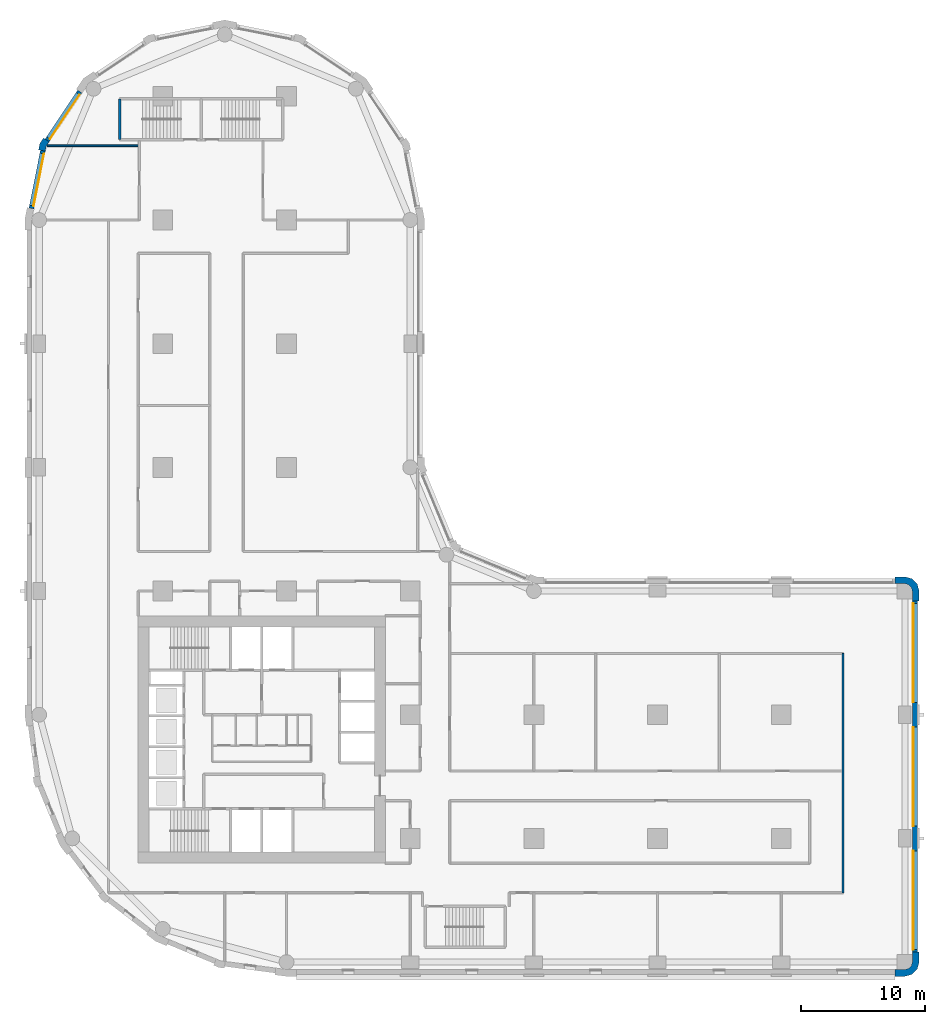
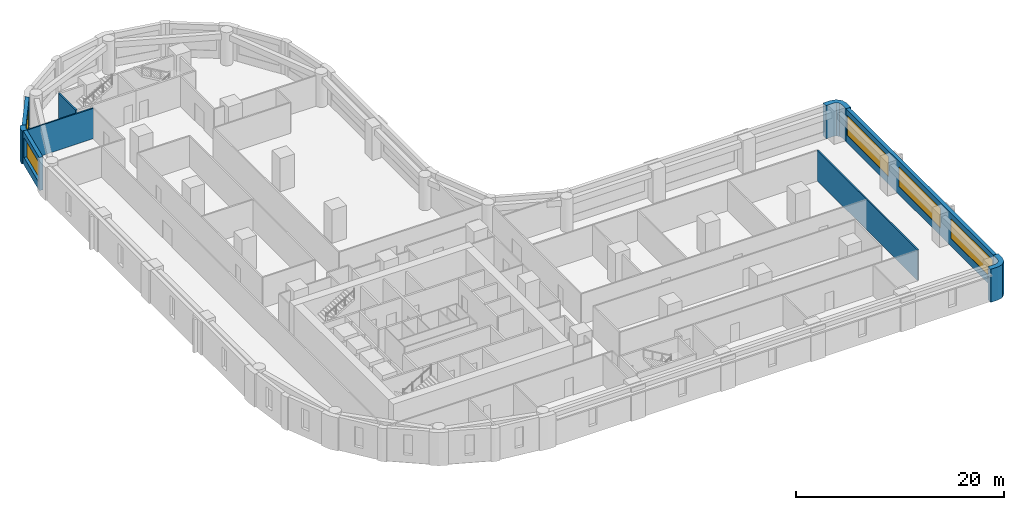
# One storey, part 7 of 11: 9 walls, 5 windows, 5 openings.
"""IFC4 building model written with IfcOpenShell, lengths in metres."""

from ifc_helpers import new_model, si_unit, direction, frame, frame_2d, origin, place, context, subcontext, project, spatial, polyline, rectangle, outline, extrude, material, layer, layer_set, type_object, element, fill, save


model = new_model("IFC4")

# Units and contexts
model_context = context("Model", 3, precision=1e-05, world=origin(), true_north=direction((0.0, 1.0)))
body_context = subcontext(model_context, "Body", "Model", "MODEL_VIEW")
ifc_project = project(units=[si_unit("LENGTHUNIT", "METRE"), si_unit("AREAUNIT", "SQUARE_METRE"), si_unit("VOLUMEUNIT", "CUBIC_METRE"), si_unit("PLANEANGLEUNIT", "RADIAN"), si_unit("MASSUNIT", "GRAM", prefix="KILO")], contexts=[model_context])

# Site, building, storey
site_placement = place(None, origin())
site = spatial("IfcSite", under=ifc_project, at=site_placement, CompositionType="ELEMENT")
building_placement = place(site_placement, origin())
building = spatial("IfcBuilding", under=site, at=building_placement, Name="Qaws Garden Tower", CompositionType="ELEMENT")
storey_placement = place(building_placement, frame((0.0, 0.0, 82.199951171875)))
storey = spatial("IfcBuildingStorey", under=building, at=storey_placement, Name="L20", CompositionType="ELEMENT", Elevation=82.199951171875)

# Walls
ifc_material_1 = material(Name="Buff clay facing brick masonry", Category="masonry")
ifc_layer_1 = layer(ifc_material_1, 0.550048828125)
ifc_layer_set_1 = layer_set([ifc_layer_1], Name="Buff clay facing brick masonry")
wall_type_1 = type_object("IfcWallType", Name="Buff brick corner pier 550 x 2400", PredefinedType="SOLIDWALL", material=ifc_layer_set_1)
placement = place(storey_placement, origin())
element("IfcWall", 1, at=placement, inside=storey, type_object=wall_type_1, Name="E-L20-pier-05", PredefinedType="SOLIDWALL", context=body_context, shape_type="SweptSolid", body=[
    extrude(outline(polyline([(69.199951171875, -1.0), (69.199951171875, -1.14990234375), (70.0, -1.14990234375), (70.574951171875, -0.995849609375), (70.995849609375, -0.574951171875), (71.14990234375, 0.0), (71.14990234375, 0.800048828125), (71.0, 0.800048828125), (70.60009765625, 0.800048828125), (70.60009765625, 0.0), (70.51953125, -0.300048828125), (70.300048828125, -0.51953125), (70.0, -0.60009765625), (69.199951171875, -0.60009765625), (69.199951171875, -1.0)])), origin(), (0.0, 0.0, 1.0), 3.900146484375),
])
element("IfcWall", 2, at=placement, inside=storey, type_object=wall_type_1, Name="E-L20-pier-08", PredefinedType="SOLIDWALL", context=body_context, shape_type="SweptSolid", body=[
    extrude(outline(polyline([(71.0, 29.199951171875), (71.14990234375, 29.199951171875), (71.14990234375, 30.0), (70.995849609375, 30.574951171875), (70.574951171875, 30.995849609375), (70.0, 31.14990234375), (69.199951171875, 31.14990234375), (69.199951171875, 31.0), (69.199951171875, 30.60009765625), (70.0, 30.60009765625), (70.300048828125, 30.51953125), (70.51953125, 30.300048828125), (70.60009765625, 30.0), (70.60009765625, 29.199951171875), (71.0, 29.199951171875)])), origin(), (0.0, 0.0, 1.0), 3.900146484375),
])

# Wall, openings, windows
ifc_material_2 = material(Name="Buff clay facing brick masonry", Category="masonry")
ifc_layer_2 = layer(ifc_material_2, 0.39990234375)
ifc_layer_set_2 = layer_set([ifc_layer_2], Name="Buff clay facing brick masonry")
wall_type_2 = type_object("IfcWallType", Name="Buff brick infill wall 400", PredefinedType="SOLIDWALL", material=ifc_layer_set_2)
wall_3_placement = place(storey_placement, frame((70.800048828125, 0.800048828125, 0.0), z_axis=(0.0, 0.0, 1.0), x_axis=(0.0, 1.0, 0.0)))
wall_3 = element("IfcWall", 3, at=wall_3_placement, inside=storey, type_object=wall_type_2, Name="E-L20-infill-05", PredefinedType="SOLIDWALL", context=body_context, shape_type="SweptSolid", body=[
    extrude(rectangle(XDim=28.39990234375, YDim=0.39990234375, at=frame_2d((14.199951171875, 0.0))), origin(), (0.0, 0.0, 1.0), 3.900146484375),
])
opening_1_placement = place(wall_3_placement, frame((0.199951171875, 0.0, 0.89990234375)))
opening_1 = element("IfcOpeningElement", 4, at=opening_1_placement, cuts=wall_3, Name="Opening W01", PredefinedType="OPENING", context=body_context, shape_type="SweptSolid", body=[
    extrude(rectangle(XDim=8.0, YDim=2.35009765625, at=frame_2d((4.0, 1.175048828125))), frame((0.0, 0.2099609375, 0.0), z_axis=(0.0, -1.0, 0.0), x_axis=(1.0, 0.0, 0.0)), (0.0, 0.0, 1.0), 0.419921875),
])
opening_2_placement = place(wall_3_placement, frame((10.199951171875, 0.0, 0.89990234375)))
opening_2 = element("IfcOpeningElement", 5, at=opening_2_placement, cuts=wall_3, Name="Opening W01", PredefinedType="OPENING", context=body_context, shape_type="SweptSolid", body=[
    extrude(rectangle(XDim=8.0, YDim=2.35009765625, at=frame_2d((4.0, 1.175048828125))), frame((0.0, 0.2099609375, 0.0), z_axis=(0.0, -1.0, 0.0), x_axis=(1.0, 0.0, 0.0)), (0.0, 0.0, 1.0), 0.419921875),
])
opening_3_placement = place(wall_3_placement, frame((20.199951171875, 0.0, 0.89990234375)))
opening_3 = element("IfcOpeningElement", 6, at=opening_3_placement, cuts=wall_3, Name="Opening W01", PredefinedType="OPENING", context=body_context, shape_type="SweptSolid", body=[
    extrude(rectangle(XDim=8.0, YDim=2.35009765625, at=frame_2d((4.0, 1.175048828125))), frame((0.0, 0.2099609375, 0.0), z_axis=(0.0, -1.0, 0.0), x_axis=(1.0, 0.0, 0.0)), (0.0, 0.0, 1.0), 0.419921875),
])
ifc_material_3 = material(Name="Aluminium framed window, clear glazing", Category="aluminium")
window_type_1 = type_object("IfcWindowType", Name="Ribbon window 8000 x 2350", PartitioningType="DOUBLE_PANEL_VERTICAL", PredefinedType="WINDOW", material=ifc_material_3)
window_1_placement = place(opening_1_placement, origin())
window_1 = element("IfcWindow", 7, at=window_1_placement, inside=storey, type_object=window_type_1, Name="E-L20-window-05-0", OverallHeight=2.35009765625, OverallWidth=8.0, PartitioningType="SINGLE_PANEL", PredefinedType="WINDOW", context=body_context, shape_type="SweptSolid", body=[
    extrude(rectangle(XDim=8.0, YDim=2.35009765625, at=frame_2d((4.0, 1.175048828125))), frame((0.0, 0.159912109375, 0.0), z_axis=(0.0, -1.0, 0.0), x_axis=(1.0, 0.0, 0.0)), (0.0, 0.0, 1.0), 0.06005859375),
])
fill(opening_1, window_1)
window_2_placement = place(opening_2_placement, origin())
window_2 = element("IfcWindow", 8, at=window_2_placement, inside=storey, type_object=window_type_1, Name="E-L20-window-06-0", OverallHeight=2.35009765625, OverallWidth=8.0, PartitioningType="SINGLE_PANEL", PredefinedType="WINDOW", context=body_context, shape_type="SweptSolid", body=[
    extrude(rectangle(XDim=8.0, YDim=2.35009765625, at=frame_2d((4.0, 1.175048828125))), frame((0.0, 0.159912109375, 0.0), z_axis=(0.0, -1.0, 0.0), x_axis=(1.0, 0.0, 0.0)), (0.0, 0.0, 1.0), 0.06005859375),
])
fill(opening_2, window_2)
window_3_placement = place(opening_3_placement, origin())
window_3 = element("IfcWindow", 9, at=window_3_placement, inside=storey, type_object=window_type_1, Name="E-L20-window-07-0", OverallHeight=2.35009765625, OverallWidth=8.0, PartitioningType="SINGLE_PANEL", PredefinedType="WINDOW", context=body_context, shape_type="SweptSolid", body=[
    extrude(rectangle(XDim=8.0, YDim=2.35009765625, at=frame_2d((4.0, 1.175048828125))), frame((0.0, 0.159912109375, 0.0), z_axis=(0.0, -1.0, 0.0), x_axis=(1.0, 0.0, 0.0)), (0.0, 0.0, 1.0), 0.06005859375),
])
fill(opening_3, window_3)

# Wall, opening, window
wall_4_placement = place(storey_placement, frame((3.28369140625, 70.385986328125, 0.0), z_axis=(0.0, 0.0, 1.0), x_axis=(-0.555541552266, -0.831488775454, 0.0)))
wall_4 = element("IfcWall", 10, at=wall_4_placement, inside=storey, type_object=wall_type_2, Name="E-L20-infill-21", PredefinedType="SOLIDWALL", context=body_context, shape_type="SweptSolid", body=[
    extrude(rectangle(XDim=4.752685546875, YDim=0.39990234375, at=frame_2d((2.37646484375, 0.0))), origin(), (0.0, 0.0, 1.0), 3.900146484375),
])
opening_4_placement = place(wall_4_placement, frame((0.226318359375, 0.0, 0.89990234375)))
opening_4 = element("IfcOpeningElement", 11, at=opening_4_placement, cuts=wall_4, Name="Opening W06", PredefinedType="OPENING", context=body_context, shape_type="SweptSolid", body=[
    extrude(rectangle(XDim=4.300048828125, YDim=2.35009765625, at=frame_2d((2.14990234375, 1.175048828125))), frame((0.0, 0.2099609375, 0.0), z_axis=(0.0, -1.0, 0.0), x_axis=(1.0, 0.0, 0.0)), (0.0, 0.0, 1.0), 0.419921875),
])
ifc_material_4 = material(Name="Aluminium framed window, clear glazing", Category="aluminium")
window_type_2 = type_object("IfcWindowType", Name="Ribbon window 4300 x 2350", PartitioningType="DOUBLE_PANEL_VERTICAL", PredefinedType="WINDOW", material=ifc_material_4)
window_4_placement = place(opening_4_placement, origin())
window_4 = element("IfcWindow", 12, at=window_4_placement, inside=storey, type_object=window_type_2, Name="E-L20-window-21-0", OverallHeight=2.35009765625, OverallWidth=4.300048828125, PartitioningType="SINGLE_PANEL", PredefinedType="WINDOW", context=body_context, shape_type="SweptSolid", body=[
    extrude(rectangle(XDim=4.300048828125, YDim=2.35009765625, at=frame_2d((2.14990234375, 1.175048828125))), frame((0.0, 0.159912109375, 0.0), z_axis=(0.0, -1.0, 0.0), x_axis=(1.0, 0.0, 0.0)), (0.0, 0.0, 1.0), 0.06005859375),
])
fill(opening_4, window_4)

wall_5_placement = place(storey_placement, frame((0.298583984375, 65.60205078125, 0.0), z_axis=(0.0, 0.0, 1.0), x_axis=(-0.195098533057, -0.98078364709, 0.0)))
wall_5 = element("IfcWall", 13, at=wall_5_placement, inside=storey, type_object=wall_type_2, Name="E-L20-infill-22", PredefinedType="SOLIDWALL", context=body_context, shape_type="SweptSolid", body=[
    extrude(rectangle(XDim=4.752685546875, YDim=0.39990234375, at=frame_2d((2.37646484375, 0.0))), origin(), (0.0, 0.0, 1.0), 3.900146484375),
])
opening_5_placement = place(wall_5_placement, frame((0.226318359375, 0.0, 0.89990234375)))
opening_5 = element("IfcOpeningElement", 14, at=opening_5_placement, cuts=wall_5, Name="Opening W06", PredefinedType="OPENING", context=body_context, shape_type="SweptSolid", body=[
    extrude(rectangle(XDim=4.300048828125, YDim=2.35009765625, at=frame_2d((2.14990234375, 1.175048828125))), frame((0.0, 0.2099609375, 0.0), z_axis=(0.0, -1.0, 0.0), x_axis=(1.0, 0.0, 0.0)), (0.0, 0.0, 1.0), 0.419921875),
])
window_5_placement = place(opening_5_placement, origin())
window_5 = element("IfcWindow", 15, at=window_5_placement, inside=storey, type_object=window_type_2, Name="E-L20-window-22-0", OverallHeight=2.35009765625, OverallWidth=4.300048828125, PartitioningType="SINGLE_PANEL", PredefinedType="WINDOW", context=body_context, shape_type="SweptSolid", body=[
    extrude(rectangle(XDim=4.300048828125, YDim=2.35009765625, at=frame_2d((2.14990234375, 1.175048828125))), frame((0.0, 0.159912109375, 0.0), z_axis=(0.0, -1.0, 0.0), x_axis=(1.0, 0.0, 0.0)), (0.0, 0.0, 1.0), 0.06005859375),
])
fill(opening_5, window_5)

# Walls
ifc_material_5 = material(Name="Buff clay facing brick masonry", Category="masonry")
ifc_layer_3 = layer(ifc_material_5, 0.550048828125)
ifc_layer_set_3 = layer_set([ifc_layer_3], Name="Buff clay facing brick masonry")
wall_type_3 = type_object("IfcWallType", Name="Buff brick kink pier 550 x 600", PredefinedType="SOLIDWALL", material=ifc_layer_set_3)
element("IfcWall", 16, at=placement, inside=storey, type_object=wall_type_3, Name="E-L20-pier-22", PredefinedType="SOLIDWALL", context=body_context, shape_type="SweptSolid", body=[
    extrude(outline(polyline([(0.47705078125, 66.545166015625), (0.352294921875, 66.628662109375), (0.05859375, 66.18896484375), (-0.044677734375, 65.67041015625), (0.1025390625, 65.64111328125), (0.494873046875, 65.56298828125), (0.57666015625, 65.974365234375), (0.8095703125, 66.322998046875), (0.47705078125, 66.545166015625)])), origin(), (0.0, 0.0, 1.0), 3.900146484375),
])
ifc_material_6 = material(Name="Concrete C80", Category="concrete")
ifc_layer_4 = layer(ifc_material_6, 0.199951171875)
ifc_layer_set_4 = layer_set([ifc_layer_4], Name="Concrete C80")
wall_type_4 = type_object("IfcWallType", Name="Core shaft wall 200 C80", PredefinedType="SHEAR", material=ifc_layer_set_4)
wall_7_placement = place(storey_placement, frame((6.5, 66.5, 0.0), z_axis=(0.0, 0.0, 1.0), x_axis=(0.0, 1.0, 0.0)))
element("IfcWall", 17, at=wall_7_placement, inside=storey, type_object=wall_type_4, Name="Shaft wall", PredefinedType="SHEAR", context=body_context, shape_type="SweptSolid", body=[
    extrude(rectangle(XDim=3.300048828125, YDim=0.199951171875, at=frame_2d((1.64990234375, 0.0))), origin(), (0.0, 0.0, 1.0), 3.580078125),
])
ifc_material_7 = material(Name="Gypsum board partition")
ifc_layer_5 = layer(ifc_material_7, 0.14990234375)
ifc_layer_set_5 = layer_set([ifc_layer_5], Name="Gypsum board partition")
wall_type_5 = type_object("IfcWallType", Name="PARTITION 150 EI 60", PredefinedType="PARTITIONING", material=ifc_layer_set_5)
wall_8_placement = place(storey_placement, frame((65.0, 5.60009765625, 0.0), z_axis=(0.0, 0.0, 1.0), x_axis=(0.0, 1.0, 0.0)))
element("IfcWall", 18, at=wall_8_placement, inside=storey, type_object=wall_type_5, Name="O-L20-wall-032", PredefinedType="PARTITIONING", context=body_context, shape_type="SweptSolid", body=[
    extrude(rectangle(XDim=19.349853515625, YDim=0.14990234375, at=frame_2d((9.6748046875, 0.0))), origin(), (0.0, 0.0, 1.0), 3.580078125),
])
wall_9_placement = place(storey_placement, frame((0.643798828125, 66.0, 0.0), z_axis=(0.0, 0.0, 1.0), x_axis=(1.0, 0.0, 0.0)))
element("IfcWall", 19, at=wall_9_placement, inside=storey, type_object=wall_type_5, Name="O-L20-wall-059", PredefinedType="PARTITIONING", context=body_context, shape_type="SweptSolid", body=[
    extrude(rectangle(XDim=7.456298828125, YDim=0.14990234375, at=frame_2d((3.72802734375, 0.0))), origin(), (0.0, 0.0, 1.0), 3.580078125),
])

save(model, "model.ifc")
